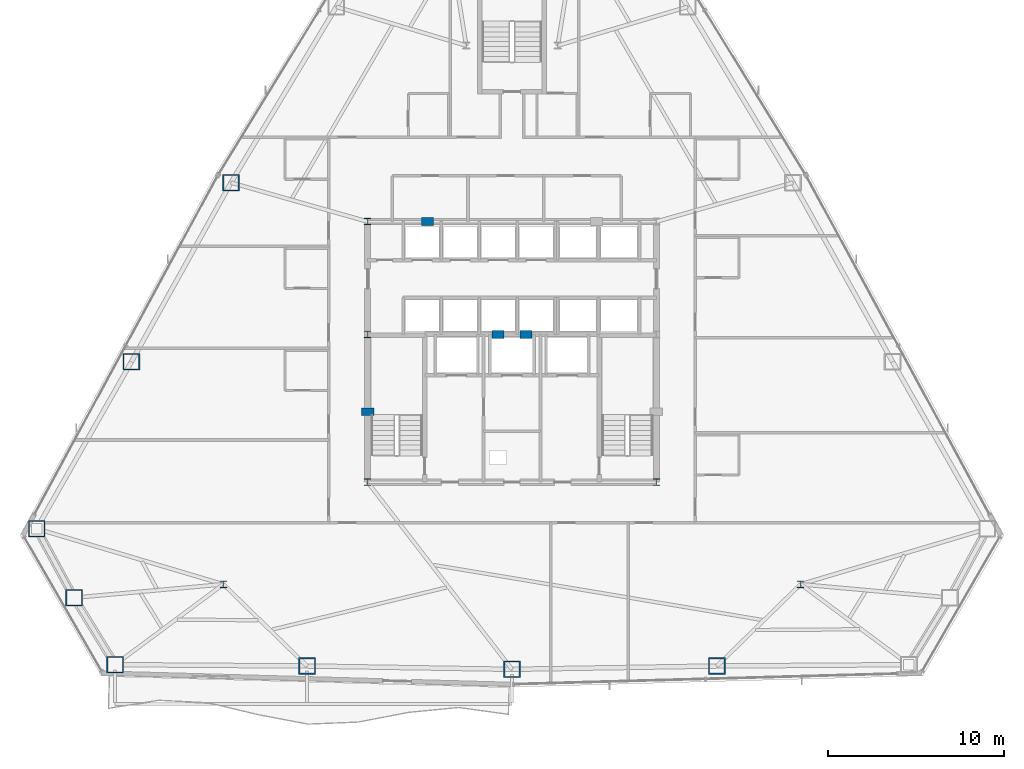
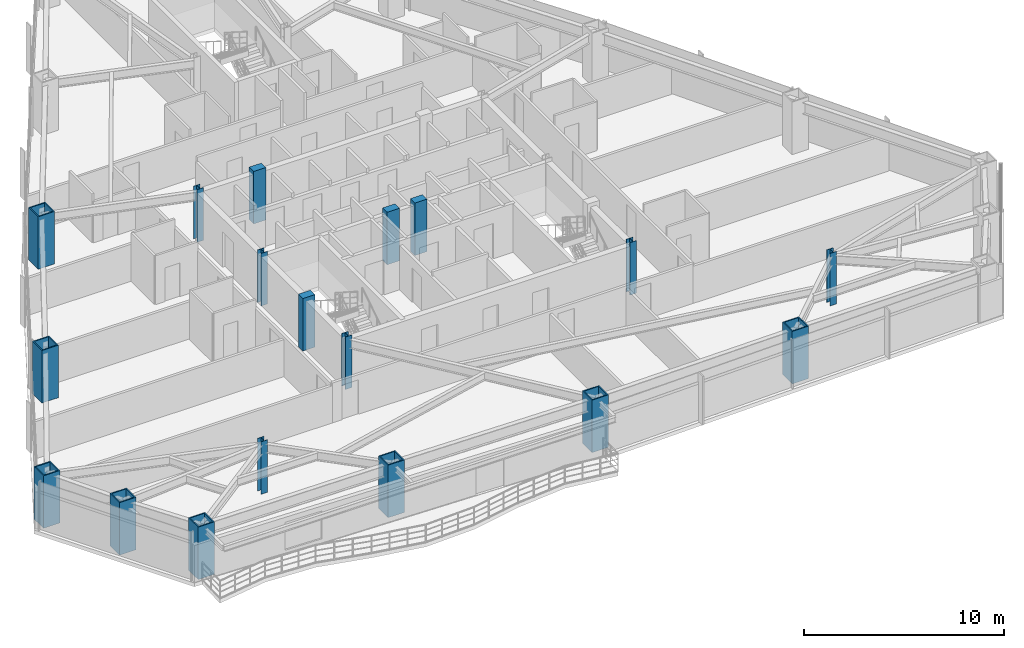
# One storey, part 1 of 14: 18 columns.
"""IFC4 building model written with IfcOpenShell, lengths in metres."""

from ifc_helpers import new_model, si_unit, direction, frame, origin, origin_2d, place, context, subcontext, project, spatial, rectangle, hollow_rectangle, i_section, extrude, material, material_profile, profile_set, type_object, element, save


model = new_model("IFC4")

# Units and contexts
model_context = context("Model", 3, precision=1e-05, world=origin(), true_north=direction((0.0, 1.0)))
body_context = subcontext(model_context, "Body", "Model", "MODEL_VIEW")
ifc_project = project(units=[si_unit("LENGTHUNIT", "METRE"), si_unit("AREAUNIT", "SQUARE_METRE"), si_unit("VOLUMEUNIT", "CUBIC_METRE"), si_unit("PLANEANGLEUNIT", "RADIAN"), si_unit("MASSUNIT", "GRAM", prefix="KILO")], contexts=[model_context])

# Site, building, storey
site_placement = place(None, origin())
site = spatial("IfcSite", under=ifc_project, at=site_placement, CompositionType="ELEMENT")
building_placement = place(site_placement, origin())
building = spatial("IfcBuilding", under=site, at=building_placement, Name="Varakhsha Concourse Tower", CompositionType="ELEMENT")
storey_placement = place(building_placement, frame((0.0, 0.0, 105.39990234375)))
storey = spatial("IfcBuildingStorey", under=building, at=storey_placement, Name="L30", CompositionType="ELEMENT", Elevation=105.39990234375)

# Columns
ifc_material_1 = material(Name="Structural Steel ASTM A992 Grade 50", Category="steel")
ifc_material_profile_1 = material_profile(ifc_material_1, i_section(OverallWidth=0.3740234375, OverallDepth=0.3720703125, WebThickness=0.01611328125, FlangeThickness=0.02587890625, at=origin_2d()), Name="W14X132")
ifc_profile_set_1 = profile_set([ifc_material_profile_1], Name="Structural Steel ASTM A992 Grade 50")
column_type_1 = type_object("IfcColumnType", Name="CL-CORE-W14X132", PredefinedType="COLUMN", material=ifc_profile_set_1)
for number, where, z_axis, x_axis, name in (
    (1, (31.800048828125, 16.39990234375, 0.0), (0.0, 0.0, 1.0), (1.0, 0.0, 0.0), "L30 Core Column CC-SW"),
    (2, (48.199951171875, 16.39990234375, 0.0), (0.0, 0.0, 1.0), (1.0, 0.0, 0.0), "L30 Core Column CC-SE"),
    (3, (31.800048828125, 24.800048828125, 0.0), (0.0, 0.0, 1.0), (1.0, 0.0, 0.0), "L30 Core Column CC-MW"),
    (4, (31.800048828125, 31.199951171875, 0.0), (0.0, 0.0, 1.0), (1.0, 0.0, 0.0), "L30 Core Column CC-NW"),
    (5, (23.60009765625, 10.60009765625, 0.0), (0.0, 0.0, 1.0), (1.0, 0.0, 0.0), "L30 Core Column SS-W"),
    (6, (56.39990234375, 10.60009765625, 0.0), (0.0, 0.0, 1.0), (1.0, 0.0, 0.0), "L30 Core Column SS-E"),
):
    element("IfcColumn", number, at=place(storey_placement, frame(where, z_axis=z_axis, x_axis=x_axis)), inside=storey, type_object=column_type_1, Name=name, PredefinedType="COLUMN", context=body_context, shape_type="SweptSolid", body=[
        extrude(i_section(OverallWidth=0.3740234375, OverallDepth=0.3720703125, WebThickness=0.01611328125, FlangeThickness=0.02587890625, at=origin_2d()), origin(), (0.0, 0.0, 1.0), 3.2001953125),
    ])
ifc_material_2 = material(Name="Concrete fc 65 MPa", Category="concrete")
ifc_material_profile_2 = material_profile(ifc_material_2, rectangle(XDim=0.699951171875, YDim=0.449951171875, at=origin_2d()), Name="RC 700x450")
ifc_profile_set_2 = profile_set([ifc_material_profile_2], Name="Concrete fc 65 MPa")
column_type_2 = type_object("IfcColumnType", Name="CL-PIL-700X450", PredefinedType="PILASTER", material=ifc_profile_set_2)
for number, where, z_axis, x_axis, name in (
    (7, (31.800048828125, 20.39990234375, 0.0), (0.0, 0.0, 1.0), (1.0, 0.0, 0.0), "L30 Core Boundary Pilaster PIL-W1"),
    (8, (35.199951171875, 31.199951171875, 0.0), (0.0, 0.0, 1.0), (1.0, 0.0, 0.0), "L30 Core Boundary Pilaster PIL-N1"),
    (9, (39.199951171875, 24.800048828125, 0.0), (0.0, 0.0, 1.0), (1.0, 0.0, 0.0), "L30 Core Boundary Pilaster PIL-M1"),
    (10, (40.800048828125, 24.800048828125, 0.0), (0.0, 0.0, 1.0), (1.0, 0.0, 0.0), "L30 Core Boundary Pilaster PIL-M2"),
):
    element("IfcColumn", number, at=place(storey_placement, frame(where, z_axis=z_axis, x_axis=x_axis)), inside=storey, type_object=column_type_2, Name=name, PredefinedType="PILASTER", context=body_context, shape_type="SweptSolid", body=[
        extrude(rectangle(XDim=0.699951171875, YDim=0.449951171875, at=origin_2d()), origin(), (0.0, 0.0, 1.0), 3.2001953125),
    ])
ifc_material_3 = material(Name="Structural Steel ASTM A572 Grade 50", Category="steel")
ifc_material_profile_3 = material_profile(ifc_material_3, hollow_rectangle(XDim=0.949951171875, YDim=0.949951171875, WallThickness=0.06494140625, at=origin_2d()), Name="BOX 950x950x65")
ifc_profile_set_3 = profile_set([ifc_material_profile_3], Name="Structural Steel ASTM A572 Grade 50")
column_type_3 = type_object("IfcColumnType", Name="CL-TUBE-950", PredefinedType="COLUMN", material=ifc_profile_set_3)
for number, where, z_axis, x_axis, name in (
    (11, (24.038330078125, 33.41552734375, 0.0), (0.0, 0.0, 1.0), (1.0, 0.0, 0.0), "L30 Framed-Tube Column TC05"),
    (12, (18.380615234375, 23.238037109375, 0.0), (0.0, 0.0, 1.0), (1.0, 0.0, 0.0), "L30 Framed-Tube Column TC06"),
    (13, (12.99560546875, 13.757080078125, 0.0), (0.0, 0.0, 1.0), (1.0, 0.0, 0.0), "L30 Framed-Tube Column TC07"),
    (14, (15.12109375, 9.836181640625, 0.0), (0.0, 0.0, 1.0), (1.0, 0.0, 0.0), "L30 Framed-Tube Column TC08"),
    (15, (17.4541015625, 6.034912109375, 0.0), (0.0, 0.0, 1.0), (1.0, 0.0, 0.0), "L30 Framed-Tube Column TC09"),
    (16, (28.357177734375, 5.958251953125, 0.0), (0.0, 0.0, 1.0), (1.0, 0.0, 0.0), "L30 Framed-Tube Column TC10"),
    (17, (40.0, 5.76904296875, 0.0), (0.0, 0.0, 1.0), (1.0, 0.0, 0.0), "L30 Framed-Tube Column TC11"),
    (18, (51.642822265625, 5.958251953125, 0.0), (0.0, 0.0, 1.0), (1.0, 0.0, 0.0), "L30 Framed-Tube Column TC12"),
):
    element("IfcColumn", number, at=place(storey_placement, frame(where, z_axis=z_axis, x_axis=x_axis)), inside=storey, type_object=column_type_3, Name=name, PredefinedType="COLUMN", context=body_context, shape_type="SweptSolid", body=[
        extrude(hollow_rectangle(XDim=0.949951171875, YDim=0.949951171875, WallThickness=0.06494140625, at=origin_2d()), origin(), (0.0, 0.0, 1.0), 3.2001953125),
    ])

save(model, "model.ifc")
